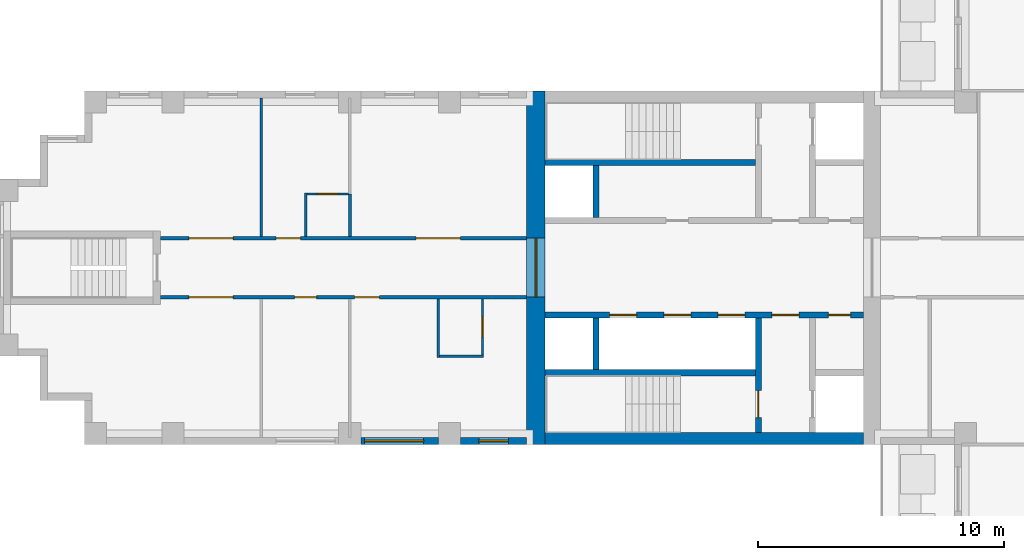
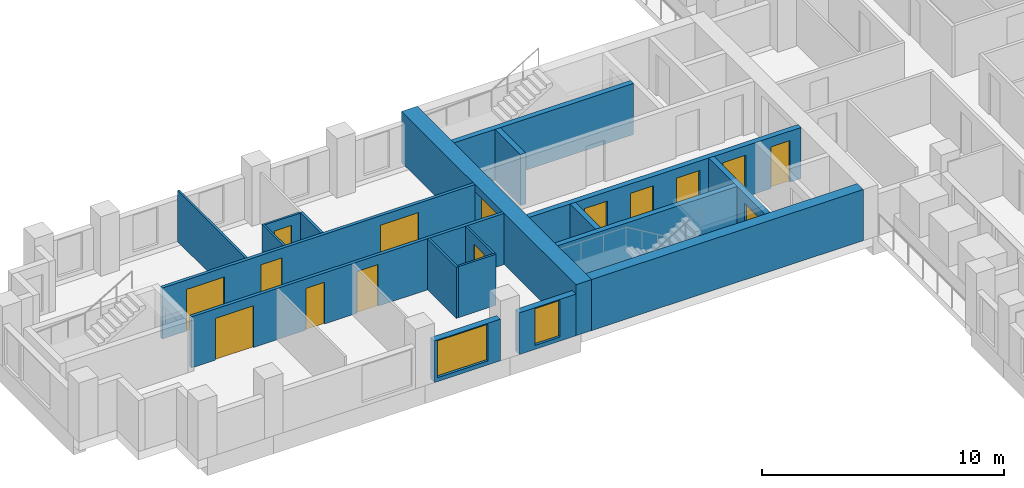
# One storey, part 6 of 14: 19 walls, 15 doors, 2 windows, 17 openings.
"""IFC4 building model written with IfcOpenShell, lengths in metres."""

from ifc_helpers import new_model, si_unit, direction, frame, frame_2d, origin, place, context, subcontext, project, spatial, rectangle, extrude, material, layer, layer_set, type_object, element, fill, save


model = new_model("IFC4")

# Units and contexts
model_context = context("Model", 3, precision=1e-05, world=origin(), true_north=direction((0.0, 1.0)))
body_context = subcontext(model_context, "Body", "Model", "MODEL_VIEW")
ifc_project = project(units=[si_unit("LENGTHUNIT", "METRE"), si_unit("AREAUNIT", "SQUARE_METRE"), si_unit("VOLUMEUNIT", "CUBIC_METRE"), si_unit("PLANEANGLEUNIT", "RADIAN"), si_unit("MASSUNIT", "GRAM", prefix="KILO")], contexts=[model_context])

# Site, building, storey
site_placement = place(None, origin())
site = spatial("IfcSite", under=ifc_project, at=site_placement, CompositionType="ELEMENT")
building_placement = place(site_placement, origin())
building = spatial("IfcBuilding", under=site, at=building_placement, Name="Fustian Cross Tower", CompositionType="ELEMENT")
storey_placement = place(building_placement, frame((0.0, 0.0, 93.89990234375)))
storey = spatial("IfcBuildingStorey", under=building, at=storey_placement, Name="L29", CompositionType="ELEMENT", Elevation=93.89990234375)

# Wall, openings, doors
ifc_material_1 = material(Name="Plasterboard on steel stud", Category="steel")
ifc_layer_1 = layer(ifc_material_1, 0.14990234375)
ifc_layer_set_1 = layer_set([ifc_layer_1], Name="Plasterboard on steel stud")
wall_type_1 = type_object("IfcWallType", Name="COMPARTMENT WALL 150 EI 60", PredefinedType="PARTITIONING", material=ifc_layer_set_1)
wall_1_placement = place(storey_placement, frame((-36.5, -1.199951171875, 0.0), z_axis=(0.0, 0.0, 1.0), x_axis=(1.0, 0.0, 0.0)))
wall_1 = element("IfcWall", 1, at=wall_1_placement, inside=storey, type_object=wall_type_1, Name="Partition 1", PredefinedType="PARTITIONING", context=body_context, shape_type="SweptSolid", body=[
    extrude(rectangle(XDim=14.89990234375, YDim=0.14990234375, at=frame_2d((7.449951171875, 0.0))), origin(), (0.0, 0.0, 1.0), 2.5751953125),
])
opening_1_placement = place(wall_1_placement, frame((7.89990234375, 0.0, 0.0)))
opening_1 = element("IfcOpeningElement", 2, at=opening_1_placement, cuts=wall_1, Name="Opening D14028", PredefinedType="OPENING", context=body_context, shape_type="SweptSolid", body=[
    extrude(rectangle(XDim=1.0, YDim=2.10009765625, at=frame_2d((0.5, 1.050048828125))), frame((0.0, 0.0849609375, 0.0), z_axis=(0.0, -1.0, 0.0), x_axis=(1.0, 0.0, 0.0)), (0.0, 0.0, 1.0), 0.169921875),
])
opening_2_placement = place(wall_1_placement, frame((5.449951171875, 0.0, 0.0)))
opening_2 = element("IfcOpeningElement", 3, at=opening_2_placement, cuts=wall_1, Name="Opening D14029", PredefinedType="OPENING", context=body_context, shape_type="SweptSolid", body=[
    extrude(rectangle(XDim=0.89990234375, YDim=2.10009765625, at=frame_2d((0.449951171875, 1.050048828125))), frame((0.0, 0.0849609375, 0.0), z_axis=(0.0, -1.0, 0.0), x_axis=(1.0, 0.0, 0.0)), (0.0, 0.0, 1.0), 0.169921875),
])
opening_3_placement = place(wall_1_placement, frame((1.14990234375, 0.0, 0.0)))
opening_3 = element("IfcOpeningElement", 4, at=opening_3_placement, cuts=wall_1, Name="Opening D14030", PredefinedType="OPENING", context=body_context, shape_type="SweptSolid", body=[
    extrude(rectangle(XDim=1.800048828125, YDim=2.10009765625, at=frame_2d((0.89990234375, 1.050048828125))), frame((0.0, 0.0849609375, 0.0), z_axis=(0.0, -1.0, 0.0), x_axis=(1.0, 0.0, 0.0)), (0.0, 0.0, 1.0), 0.169921875),
])
ifc_material_2 = material(Name="Timber fire door set", Category="wood")
door_type_1 = type_object("IfcDoorType", Name="FIRE DOUBLE DOOR 1800 FD30S", OperationType="DOUBLE_DOOR_DOUBLE_SWING", PredefinedType="DOOR", material=ifc_material_2)
door_1_placement = place(opening_3_placement, origin())
door_1 = element("IfcDoor", 5, at=door_1_placement, inside=storey, type_object=door_type_1, Name="Door D14030", OperationType="DOUBLE_DOOR_DOUBLE_SWING", OverallHeight=2.10009765625, OverallWidth=1.800048828125, PredefinedType="DOOR", context=body_context, shape_type="SweptSolid", body=[
    extrude(rectangle(XDim=1.800048828125, YDim=2.10009765625, at=frame_2d((0.89990234375, 1.050048828125))), frame((0.0, 0.02490234375, 0.0), z_axis=(0.0, -1.0, 0.0), x_axis=(1.0, 0.0, 0.0)), (0.0, 0.0, 1.0), 0.050048828125),
])
fill(opening_3, door_1)
ifc_material_3 = material(Name="Timber fire door set", Category="wood")
door_type_2 = type_object("IfcDoorType", Name="FIRE SWING DOOR 1000 FD30S", OperationType="SINGLE_SWING_LEFT", PredefinedType="DOOR", material=ifc_material_3)
door_2_placement = place(opening_1_placement, frame((1.0, 0.0, 0.0), z_axis=(0.0, 0.0, 1.0), x_axis=(-1.0, 0.0, 0.0)))
door_2 = element("IfcDoor", 6, at=door_2_placement, inside=storey, type_object=door_type_2, Name="Door D14028", OperationType="SINGLE_SWING_RIGHT", OverallHeight=2.10009765625, OverallWidth=1.0, PredefinedType="DOOR", context=body_context, shape_type="SweptSolid", body=[
    extrude(rectangle(XDim=1.0, YDim=2.10009765625, at=frame_2d((0.5, 1.050048828125))), frame((0.0, 0.02490234375, 0.0), z_axis=(0.0, -1.0, 0.0), x_axis=(1.0, 0.0, 0.0)), (0.0, 0.0, 1.0), 0.050048828125),
])
fill(opening_1, door_2)
ifc_material_4 = material(Name="Timber fire door set", Category="wood")
door_type_3 = type_object("IfcDoorType", Name="FIRE SWING DOOR 900 FD30S", OperationType="SINGLE_SWING_LEFT", PredefinedType="DOOR", material=ifc_material_4)
door_3_placement = place(opening_2_placement, frame((0.89990234375, 0.0, 0.0), z_axis=(0.0, 0.0, 1.0), x_axis=(-1.0, 0.0, 0.0)))
door_3 = element("IfcDoor", 7, at=door_3_placement, inside=storey, type_object=door_type_3, Name="Door D14029", OperationType="SINGLE_SWING_RIGHT", OverallHeight=2.10009765625, OverallWidth=0.89990234375, PredefinedType="DOOR", context=body_context, shape_type="SweptSolid", body=[
    extrude(rectangle(XDim=0.89990234375, YDim=2.10009765625, at=frame_2d((0.449951171875, 1.050048828125))), frame((0.0, 0.02490234375, 0.0), z_axis=(0.0, -1.0, 0.0), x_axis=(1.0, 0.0, 0.0)), (0.0, 0.0, 1.0), 0.050048828125),
])
fill(opening_2, door_3)

wall_2_placement = place(storey_placement, frame((-36.5, 1.199951171875, 0.0), z_axis=(0.0, 0.0, 1.0), x_axis=(1.0, 0.0, 0.0)))
wall_2 = element("IfcWall", 8, at=wall_2_placement, inside=storey, type_object=wall_type_1, Name="Partition 2", PredefinedType="PARTITIONING", context=body_context, shape_type="SweptSolid", body=[
    extrude(rectangle(XDim=14.89990234375, YDim=0.14990234375, at=frame_2d((7.449951171875, 0.0))), origin(), (0.0, 0.0, 1.0), 2.5751953125),
])
opening_4_placement = place(wall_2_placement, frame((10.39990234375, 0.0, 0.0)))
opening_4 = element("IfcOpeningElement", 9, at=opening_4_placement, cuts=wall_2, Name="Opening D14031", PredefinedType="OPENING", context=body_context, shape_type="SweptSolid", body=[
    extrude(rectangle(XDim=1.800048828125, YDim=2.10009765625, at=frame_2d((0.89990234375, 1.050048828125))), frame((0.0, 0.0849609375, 0.0), z_axis=(0.0, -1.0, 0.0), x_axis=(1.0, 0.0, 0.0)), (0.0, 0.0, 1.0), 0.169921875),
])
opening_5_placement = place(wall_2_placement, frame((4.699951171875, 0.0, 0.0)))
opening_5 = element("IfcOpeningElement", 10, at=opening_5_placement, cuts=wall_2, Name="Opening D14033", PredefinedType="OPENING", context=body_context, shape_type="SweptSolid", body=[
    extrude(rectangle(XDim=1.0, YDim=2.10009765625, at=frame_2d((0.5, 1.050048828125))), frame((0.0, 0.0849609375, 0.0), z_axis=(0.0, -1.0, 0.0), x_axis=(1.0, 0.0, 0.0)), (0.0, 0.0, 1.0), 0.169921875),
])
opening_6_placement = place(wall_2_placement, frame((1.14990234375, 0.0, 0.0)))
opening_6 = element("IfcOpeningElement", 11, at=opening_6_placement, cuts=wall_2, Name="Opening D14034", PredefinedType="OPENING", context=body_context, shape_type="SweptSolid", body=[
    extrude(rectangle(XDim=1.800048828125, YDim=2.10009765625, at=frame_2d((0.89990234375, 1.050048828125))), frame((0.0, 0.0849609375, 0.0), z_axis=(0.0, -1.0, 0.0), x_axis=(1.0, 0.0, 0.0)), (0.0, 0.0, 1.0), 0.169921875),
])
door_4_placement = place(opening_4_placement, frame((1.800048828125, 0.0, 0.0), z_axis=(0.0, 0.0, 1.0), x_axis=(-1.0, 0.0, 0.0)))
door_4 = element("IfcDoor", 12, at=door_4_placement, inside=storey, type_object=door_type_1, Name="Door D14031", OperationType="DOUBLE_DOOR_DOUBLE_SWING", OverallHeight=2.10009765625, OverallWidth=1.800048828125, PredefinedType="DOOR", context=body_context, shape_type="SweptSolid", body=[
    extrude(rectangle(XDim=1.800048828125, YDim=2.10009765625, at=frame_2d((0.89990234375, 1.050048828125))), frame((0.0, 0.02490234375, 0.0), z_axis=(0.0, -1.0, 0.0), x_axis=(1.0, 0.0, 0.0)), (0.0, 0.0, 1.0), 0.050048828125),
])
fill(opening_4, door_4)
door_5_placement = place(opening_6_placement, frame((1.800048828125, 0.0, 0.0), z_axis=(0.0, 0.0, 1.0), x_axis=(-1.0, 0.0, 0.0)))
door_5 = element("IfcDoor", 13, at=door_5_placement, inside=storey, type_object=door_type_1, Name="Door D14034", OperationType="DOUBLE_DOOR_DOUBLE_SWING", OverallHeight=2.10009765625, OverallWidth=1.800048828125, PredefinedType="DOOR", context=body_context, shape_type="SweptSolid", body=[
    extrude(rectangle(XDim=1.800048828125, YDim=2.10009765625, at=frame_2d((0.89990234375, 1.050048828125))), frame((0.0, 0.02490234375, 0.0), z_axis=(0.0, -1.0, 0.0), x_axis=(1.0, 0.0, 0.0)), (0.0, 0.0, 1.0), 0.050048828125),
])
fill(opening_6, door_5)
door_6_placement = place(opening_5_placement, origin())
door_6 = element("IfcDoor", 14, at=door_6_placement, inside=storey, type_object=door_type_2, Name="Door D14033", OperationType="SINGLE_SWING_RIGHT", OverallHeight=2.10009765625, OverallWidth=1.0, PredefinedType="DOOR", context=body_context, shape_type="SweptSolid", body=[
    extrude(rectangle(XDim=1.0, YDim=2.10009765625, at=frame_2d((0.5, 1.050048828125))), frame((0.0, 0.02490234375, 0.0), z_axis=(0.0, -1.0, 0.0), x_axis=(1.0, 0.0, 0.0)), (0.0, 0.0, 1.0), 0.050048828125),
])
fill(opening_5, door_6)

# Wall, opening, door
ifc_material_5 = material(Name="Concrete C70/85", Category="concrete")
ifc_layer_2 = layer(ifc_material_5, 0.75)
ifc_layer_set_2 = layer_set([ifc_layer_2], Name="Concrete C70/85")
wall_type_2 = type_object("IfcWallType", Name="CORE END WALL 750 C70/85", PredefinedType="SHEAR", material=ifc_layer_set_2)
wall_3_placement = place(storey_placement, frame((-21.22509765625, -7.199951171875, 0.0), z_axis=(0.0, 0.0, 1.0), x_axis=(0.0, 1.0, 0.0)))
wall_3 = element("IfcWall", 15, at=wall_3_placement, inside=storey, type_object=wall_type_2, Name="Core end wall", PredefinedType="SHEAR", context=body_context, shape_type="SweptSolid", body=[
    extrude(rectangle(XDim=14.39990234375, YDim=0.75, at=frame_2d((7.199951171875, 0.0))), origin(), (0.0, 0.0, 1.0), 2.5751953125),
])
opening_7_placement = place(wall_3_placement, frame((6.0, 0.0, 0.0)))
opening_7 = element("IfcOpeningElement", 16, at=opening_7_placement, cuts=wall_3, Name="Opening CD-09-27", PredefinedType="OPENING", context=body_context, shape_type="SweptSolid", body=[
    extrude(rectangle(XDim=2.39990234375, YDim=2.199951171875, at=frame_2d((1.199951171875, 1.10009765625))), frame((0.0, 0.385009765625, 0.0), z_axis=(0.0, -1.0, 0.0), x_axis=(1.0, 0.0, 0.0)), (0.0, 0.0, 1.0), 0.77001953125),
])
ifc_material_6 = material(Name="Steel", Category="steel")
door_type_4 = type_object("IfcDoorType", Name="FIRE DOOR FD30S DOUBLE 2400X2200", OperationType="DOUBLE_DOOR_DOUBLE_SWING", PredefinedType="DOOR", material=ifc_material_6)
door_7_placement = place(opening_7_placement, frame((2.39990234375, 0.0, 0.0), z_axis=(0.0, 0.0, 1.0), x_axis=(-1.0, 0.0, 0.0)))
door_7 = element("IfcDoor", 17, at=door_7_placement, inside=storey, type_object=door_type_4, Name="Core door CD-09-27", OperationType="DOUBLE_DOOR_DOUBLE_SWING", OverallHeight=2.199951171875, OverallWidth=2.39990234375, PredefinedType="DOOR", context=body_context, shape_type="SweptSolid", body=[
    extrude(rectangle(XDim=2.39990234375, YDim=2.199951171875, at=frame_2d((1.199951171875, 1.10009765625))), frame((0.0, 0.02490234375, 0.0), z_axis=(0.0, -1.0, 0.0), x_axis=(1.0, 0.0, 0.0)), (0.0, 0.0, 1.0), 0.050048828125),
])
fill(opening_7, door_7)

# Wall
ifc_material_7 = material(Name="Concrete C70/85", Category="concrete")
ifc_layer_3 = layer(ifc_material_7, 0.5)
ifc_layer_set_3 = layer_set([ifc_layer_3], Name="Concrete C70/85")
wall_type_3 = type_object("IfcWallType", Name="CORE FACADE WALL 500 C70/85", PredefinedType="SHEAR", material=ifc_layer_set_3)
wall_4_placement = place(storey_placement, frame((-7.89990234375, -6.949951171875, 0.0), z_axis=(0.0, 0.0, 1.0), x_axis=(-1.0, 0.0, 0.0)))
element("IfcWall", 18, at=wall_4_placement, inside=storey, type_object=wall_type_3, Name="Core facade wall", PredefinedType="SHEAR", context=body_context, shape_type="SweptSolid", body=[
    extrude(rectangle(XDim=12.9501953125, YDim=0.5, at=frame_2d((6.47509765625, 0.0))), origin(), (0.0, 0.0, 1.0), 2.5751953125),
])

# Wall, openings, doors
ifc_material_8 = material(Name="Concrete C50/60", Category="concrete")
ifc_layer_4 = layer(ifc_material_8, 0.25)
ifc_layer_set_4 = layer_set([ifc_layer_4], Name="Concrete C50/60")
wall_type_4 = type_object("IfcWallType", Name="CORE LOBBY WALL 250 C50/60", PredefinedType="SHEAR", material=ifc_layer_set_4)
wall_5_placement = place(storey_placement, frame((-7.89990234375, -1.925048828125, 0.0), z_axis=(0.0, 0.0, 1.0), x_axis=(-1.0, 0.0, 0.0)))
wall_5 = element("IfcWall", 19, at=wall_5_placement, inside=storey, type_object=wall_type_4, Name="Core lobby wall", PredefinedType="SHEAR", context=body_context, shape_type="SweptSolid", body=[
    extrude(rectangle(XDim=12.9501953125, YDim=0.25, at=frame_2d((6.47509765625, 0.0))), origin(), (0.0, 0.0, 1.0), 2.5751953125),
])
opening_8_placement = place(wall_5_placement, frame((4.824951171875, 0.0, 0.0)))
opening_8 = element("IfcOpeningElement", 20, at=opening_8_placement, cuts=wall_5, Name="Opening LD", PredefinedType="OPENING", context=body_context, shape_type="SweptSolid", body=[
    extrude(rectangle(XDim=1.10009765625, YDim=2.10009765625, at=frame_2d((0.550048828125, 1.050048828125))), frame((0.0, 0.135009765625, 0.0), z_axis=(0.0, -1.0, 0.0), x_axis=(1.0, 0.0, 0.0)), (0.0, 0.0, 1.0), 0.27001953125),
])
opening_9_placement = place(wall_5_placement, frame((7.02490234375, 0.0, 0.0)))
opening_9 = element("IfcOpeningElement", 21, at=opening_9_placement, cuts=wall_5, Name="Opening LD", PredefinedType="OPENING", context=body_context, shape_type="SweptSolid", body=[
    extrude(rectangle(XDim=1.10009765625, YDim=2.10009765625, at=frame_2d((0.550048828125, 1.050048828125))), frame((0.0, 0.135009765625, 0.0), z_axis=(0.0, -1.0, 0.0), x_axis=(1.0, 0.0, 0.0)), (0.0, 0.0, 1.0), 0.27001953125),
])
opening_10_placement = place(wall_5_placement, frame((9.22509765625, 0.0, 0.0)))
opening_10 = element("IfcOpeningElement", 22, at=opening_10_placement, cuts=wall_5, Name="Opening LD", PredefinedType="OPENING", context=body_context, shape_type="SweptSolid", body=[
    extrude(rectangle(XDim=1.10009765625, YDim=2.10009765625, at=frame_2d((0.550048828125, 1.050048828125))), frame((0.0, 0.135009765625, 0.0), z_axis=(0.0, -1.0, 0.0), x_axis=(1.0, 0.0, 0.0)), (0.0, 0.0, 1.0), 0.27001953125),
])
opening_11_placement = place(wall_5_placement, frame((0.52490234375, 0.0, 0.0)))
opening_11 = element("IfcOpeningElement", 23, at=opening_11_placement, cuts=wall_5, Name="Opening CD-09-23", PredefinedType="OPENING", context=body_context, shape_type="SweptSolid", body=[
    extrude(rectangle(XDim=0.89990234375, YDim=2.10009765625, at=frame_2d((0.449951171875, 1.050048828125))), frame((0.0, 0.135009765625, 0.0), z_axis=(0.0, -1.0, 0.0), x_axis=(1.0, 0.0, 0.0)), (0.0, 0.0, 1.0), 0.27001953125),
])
opening_12_placement = place(wall_5_placement, frame((2.625, 0.0, 0.0)))
opening_12 = element("IfcOpeningElement", 24, at=opening_12_placement, cuts=wall_5, Name="Opening CD-09-25", PredefinedType="OPENING", context=body_context, shape_type="SweptSolid", body=[
    extrude(rectangle(XDim=1.10009765625, YDim=2.10009765625, at=frame_2d((0.550048828125, 1.050048828125))), frame((0.0, 0.135009765625, 0.0), z_axis=(0.0, -1.0, 0.0), x_axis=(1.0, 0.0, 0.0)), (0.0, 0.0, 1.0), 0.27001953125),
])
ifc_material_9 = material(Name="Steel", Category="steel")
door_type_5 = type_object("IfcDoorType", Name="FIRE DOOR FD30S 1100X2100", OperationType="SINGLE_SWING_LEFT", PredefinedType="DOOR", material=ifc_material_9)
door_8_placement = place(opening_12_placement, frame((1.10009765625, 0.0, 0.0), z_axis=(0.0, 0.0, 1.0), x_axis=(-1.0, 0.0, 0.0)))
door_8 = element("IfcDoor", 25, at=door_8_placement, inside=storey, type_object=door_type_5, Name="Core door CD-09-25", OperationType="SINGLE_SWING_RIGHT", OverallHeight=2.10009765625, OverallWidth=1.10009765625, PredefinedType="DOOR", context=body_context, shape_type="SweptSolid", body=[
    extrude(rectangle(XDim=1.10009765625, YDim=2.10009765625, at=frame_2d((0.550048828125, 1.050048828125))), frame((0.0, 0.02490234375, 0.0), z_axis=(0.0, -1.0, 0.0), x_axis=(1.0, 0.0, 0.0)), (0.0, 0.0, 1.0), 0.050048828125),
])
fill(opening_12, door_8)
ifc_material_10 = material(Name="Steel", Category="steel")
door_type_6 = type_object("IfcDoorType", Name="FIRE DOOR FD30S 900X2100", OperationType="SINGLE_SWING_LEFT", PredefinedType="DOOR", material=ifc_material_10)
door_9_placement = place(opening_11_placement, origin())
door_9 = element("IfcDoor", 26, at=door_9_placement, inside=storey, type_object=door_type_6, Name="Core door CD-09-23", OperationType="SINGLE_SWING_LEFT", OverallHeight=2.10009765625, OverallWidth=0.89990234375, PredefinedType="DOOR", context=body_context, shape_type="SweptSolid", body=[
    extrude(rectangle(XDim=0.89990234375, YDim=2.10009765625, at=frame_2d((0.449951171875, 1.050048828125))), frame((0.0, 0.02490234375, 0.0), z_axis=(0.0, -1.0, 0.0), x_axis=(1.0, 0.0, 0.0)), (0.0, 0.0, 1.0), 0.050048828125),
])
fill(opening_11, door_9)
ifc_material_11 = material(Name="Stainless steel", Category="steel")
door_type_7 = type_object("IfcDoorType", Name="LIFT LANDING DOOR 1100X2100", OperationType="SLIDING_TO_LEFT", PredefinedType="DOOR", material=ifc_material_11)
door_10_placement = place(opening_8_placement, origin())
door_10 = element("IfcDoor", 27, at=door_10_placement, inside=storey, type_object=door_type_7, Name="Landing door LR1W", OperationType="SLIDING_TO_LEFT", OverallHeight=2.10009765625, OverallWidth=1.10009765625, PredefinedType="DOOR", context=body_context, shape_type="SweptSolid", body=[
    extrude(rectangle(XDim=1.10009765625, YDim=2.10009765625, at=frame_2d((0.550048828125, 1.050048828125))), frame((0.0, 0.02490234375, 0.0), z_axis=(0.0, -1.0, 0.0), x_axis=(1.0, 0.0, 0.0)), (0.0, 0.0, 1.0), 0.050048828125),
])
fill(opening_8, door_10)
door_11_placement = place(opening_9_placement, origin())
door_11 = element("IfcDoor", 28, at=door_11_placement, inside=storey, type_object=door_type_7, Name="Landing door LR2W", OperationType="SLIDING_TO_LEFT", OverallHeight=2.10009765625, OverallWidth=1.10009765625, PredefinedType="DOOR", context=body_context, shape_type="SweptSolid", body=[
    extrude(rectangle(XDim=1.10009765625, YDim=2.10009765625, at=frame_2d((0.550048828125, 1.050048828125))), frame((0.0, 0.02490234375, 0.0), z_axis=(0.0, -1.0, 0.0), x_axis=(1.0, 0.0, 0.0)), (0.0, 0.0, 1.0), 0.050048828125),
])
fill(opening_9, door_11)
door_12_placement = place(opening_10_placement, origin())
door_12 = element("IfcDoor", 29, at=door_12_placement, inside=storey, type_object=door_type_7, Name="Landing door LR3W", OperationType="SLIDING_TO_LEFT", OverallHeight=2.10009765625, OverallWidth=1.10009765625, PredefinedType="DOOR", context=body_context, shape_type="SweptSolid", body=[
    extrude(rectangle(XDim=1.10009765625, YDim=2.10009765625, at=frame_2d((0.550048828125, 1.050048828125))), frame((0.0, 0.02490234375, 0.0), z_axis=(0.0, -1.0, 0.0), x_axis=(1.0, 0.0, 0.0)), (0.0, 0.0, 1.0), 0.050048828125),
])
fill(opening_10, door_12)

# Walls
ifc_material_12 = material(Name="Concrete C50/60", Category="concrete")
ifc_layer_5 = layer(ifc_material_12, 0.25)
ifc_layer_set_5 = layer_set([ifc_layer_5], Name="Concrete C50/60")
wall_type_5 = type_object("IfcWallType", Name="CORE SHAFT WALL 250 C50/60", PredefinedType="SHEAR", material=ifc_layer_set_5)
for number, where, z_axis, x_axis, name in (
    (30, (-12.300048828125, 4.27490234375, 0.0), (0.0, 0.0, 1.0), (-1.0, 0.0, 0.0), "Core shaft wall"),
    (31, (-12.300048828125, -4.27490234375, 0.0), (0.0, 0.0, 1.0), (-1.0, 0.0, 0.0), "Core shaft wall"),
):
    element("IfcWall", number, at=place(storey_placement, frame(where, z_axis=z_axis, x_axis=x_axis)), inside=storey, type_object=wall_type_5, Name=name, PredefinedType="SHEAR", context=body_context, shape_type="SweptSolid", body=[
        extrude(rectangle(XDim=8.550048828125, YDim=0.25, at=frame_2d((4.27490234375, 0.0))), origin(), (0.0, 0.0, 1.0), 2.5751953125),
    ])

# Wall, opening, door
wall_6_placement = place(storey_placement, frame((-12.175048828125, -2.050048828125, 0.0), z_axis=(0.0, 0.0, 1.0), x_axis=(0.0, -1.0, 0.0)))
wall_6 = element("IfcWall", 32, at=wall_6_placement, inside=storey, type_object=wall_type_5, Name="Core shaft wall", PredefinedType="SHEAR", context=body_context, shape_type="SweptSolid", body=[
    extrude(rectangle(XDim=4.64990234375, YDim=0.25, at=frame_2d((2.324951171875, 0.0))), origin(), (0.0, 0.0, 1.0), 2.5751953125),
])
opening_13_placement = place(wall_6_placement, frame((2.949951171875, 0.0, 0.0)))
opening_13 = element("IfcOpeningElement", 33, at=opening_13_placement, cuts=wall_6, Name="Opening CD-09-21", PredefinedType="OPENING", context=body_context, shape_type="SweptSolid", body=[
    extrude(rectangle(XDim=1.10009765625, YDim=2.10009765625, at=frame_2d((0.550048828125, 1.050048828125))), frame((0.0, 0.135009765625, 0.0), z_axis=(0.0, -1.0, 0.0), x_axis=(1.0, 0.0, 0.0)), (0.0, 0.0, 1.0), 0.27001953125),
])
ifc_material_13 = material(Name="Steel", Category="steel")
door_type_8 = type_object("IfcDoorType", Name="FIRE DOOR FD60S 1100X2100", OperationType="SINGLE_SWING_LEFT", PredefinedType="DOOR", material=ifc_material_13)
door_13_placement = place(opening_13_placement, frame((1.10009765625, 0.0, 0.0), z_axis=(0.0, 0.0, 1.0), x_axis=(-1.0, 0.0, 0.0)))
door_13 = element("IfcDoor", 34, at=door_13_placement, inside=storey, type_object=door_type_8, Name="Core door CD-09-21", OperationType="SINGLE_SWING_RIGHT", OverallHeight=2.10009765625, OverallWidth=1.10009765625, PredefinedType="DOOR", context=body_context, shape_type="SweptSolid", body=[
    extrude(rectangle(XDim=1.10009765625, YDim=2.10009765625, at=frame_2d((0.550048828125, 1.050048828125))), frame((0.0, 0.02490234375, 0.0), z_axis=(0.0, -1.0, 0.0), x_axis=(1.0, 0.0, 0.0)), (0.0, 0.0, 1.0), 0.050048828125),
])
fill(opening_13, door_13)

# Walls
ifc_material_14 = material(Name="Plasterboard on steel stud", Category="steel")
ifc_layer_6 = layer(ifc_material_14, 0.10009765625)
ifc_layer_set_6 = layer_set([ifc_layer_6], Name="Plasterboard on steel stud")
wall_type_6 = type_object("IfcWallType", Name="PARTITION 100 STUD", PredefinedType="PARTITIONING", material=ifc_layer_set_6)
wall_7_placement = place(storey_placement, frame((-32.39990234375, 1.27490234375, 0.0), z_axis=(0.0, 0.0, 1.0), x_axis=(0.0, 1.0, 0.0)))
element("IfcWall", 35, at=wall_7_placement, inside=storey, type_object=wall_type_6, Name="Partition 4", PredefinedType="PARTITIONING", context=body_context, shape_type="SweptSolid", body=[
    extrude(rectangle(XDim=5.625, YDim=0.10009765625, at=frame_2d((2.8125, 0.0))), origin(), (0.0, 0.0, 1.0), 2.5751953125),
])
wall_8_placement = place(storey_placement, frame((-30.60009765625, 1.27490234375, 0.0), z_axis=(0.0, 0.0, 1.0), x_axis=(0.0, 1.0, 0.0)))
element("IfcWall", 36, at=wall_8_placement, inside=storey, type_object=wall_type_6, Name="Partition 5", PredefinedType="PARTITIONING", context=body_context, shape_type="SweptSolid", body=[
    extrude(rectangle(XDim=1.775146484375, YDim=0.10009765625, at=frame_2d((0.8876953125, 0.0))), origin(), (0.0, 0.0, 1.0), 2.5751953125),
])

# Wall, opening, door
wall_9_placement = place(storey_placement, frame((-30.550048828125, 3.0, 0.0), z_axis=(0.0, 0.0, 1.0), x_axis=(1.0, 0.0, 0.0)))
wall_9 = element("IfcWall", 37, at=wall_9_placement, inside=storey, type_object=wall_type_6, Name="Partition 6", PredefinedType="PARTITIONING", context=body_context, shape_type="SweptSolid", body=[
    extrude(rectangle(XDim=1.6875, YDim=0.10009765625, at=frame_2d((0.84375, 0.0))), origin(), (0.0, 0.0, 1.0), 2.5751953125),
])
opening_14_placement = place(wall_9_placement, frame((0.449951171875, 0.0, 0.0)))
opening_14 = element("IfcOpeningElement", 38, at=opening_14_placement, cuts=wall_9, Name="Opening D14032", PredefinedType="OPENING", context=body_context, shape_type="SweptSolid", body=[
    extrude(rectangle(XDim=0.800048828125, YDim=2.10009765625, at=frame_2d((0.39990234375, 1.050048828125))), frame((0.0, 0.06005859375, 0.0), z_axis=(0.0, -1.0, 0.0), x_axis=(1.0, 0.0, 0.0)), (0.0, 0.0, 1.0), 0.1201171875),
])
ifc_material_15 = material(Name="Painted timber", Category="wood")
door_type_9 = type_object("IfcDoorType", Name="SWING DOOR 800", OperationType="SINGLE_SWING_LEFT", PredefinedType="DOOR", material=ifc_material_15)
door_14_placement = place(opening_14_placement, frame((0.800048828125, 0.0, 0.0), z_axis=(0.0, 0.0, 1.0), x_axis=(-1.0, 0.0, 0.0)))
door_14 = element("IfcDoor", 39, at=door_14_placement, inside=storey, type_object=door_type_9, Name="Door D14032", OperationType="SINGLE_SWING_LEFT", OverallHeight=2.10009765625, OverallWidth=0.800048828125, PredefinedType="DOOR", context=body_context, shape_type="SweptSolid", body=[
    extrude(rectangle(XDim=0.800048828125, YDim=2.10009765625, at=frame_2d((0.39990234375, 1.050048828125))), frame((0.0, 0.02490234375, 0.0), z_axis=(0.0, -1.0, 0.0), x_axis=(1.0, 0.0, 0.0)), (0.0, 0.0, 1.0), 0.050048828125),
])
fill(opening_14, door_14)

# Walls
wall_10_placement = place(storey_placement, frame((-25.199951171875, -3.64990234375, 0.0), z_axis=(0.0, 0.0, 1.0), x_axis=(0.0, 1.0, 0.0)))
element("IfcWall", 40, at=wall_10_placement, inside=storey, type_object=wall_type_6, Name="Partition 10", PredefinedType="PARTITIONING", context=body_context, shape_type="SweptSolid", body=[
    extrude(rectangle(XDim=2.375, YDim=0.10009765625, at=frame_2d((1.1875, 0.0))), origin(), (0.0, 0.0, 1.0), 2.5751953125),
])
wall_11_placement = place(storey_placement, frame((-25.14990234375, -3.60009765625, 0.0), z_axis=(0.0, 0.0, 1.0), x_axis=(1.0, 0.0, 0.0)))
element("IfcWall", 41, at=wall_11_placement, inside=storey, type_object=wall_type_6, Name="Partition 11", PredefinedType="PARTITIONING", context=body_context, shape_type="SweptSolid", body=[
    extrude(rectangle(XDim=1.7998046875, YDim=0.10009765625, at=frame_2d((0.89990234375, 0.0))), origin(), (0.0, 0.0, 1.0), 2.5751953125),
])

# Wall, opening, door
wall_12_placement = place(storey_placement, frame((-23.39990234375, -3.550048828125, 0.0), z_axis=(0.0, 0.0, 1.0), x_axis=(0.0, 1.0, 0.0)))
wall_12 = element("IfcWall", 42, at=wall_12_placement, inside=storey, type_object=wall_type_6, Name="Partition 12", PredefinedType="PARTITIONING", context=body_context, shape_type="SweptSolid", body=[
    extrude(rectangle(XDim=2.275146484375, YDim=0.10009765625, at=frame_2d((1.1376953125, 0.0))), origin(), (0.0, 0.0, 1.0), 2.5751953125),
])
opening_15_placement = place(wall_12_placement, frame((0.75, 0.0, 0.0)))
opening_15 = element("IfcOpeningElement", 43, at=opening_15_placement, cuts=wall_12, Name="Opening D14027", PredefinedType="OPENING", context=body_context, shape_type="SweptSolid", body=[
    extrude(rectangle(XDim=0.800048828125, YDim=2.10009765625, at=frame_2d((0.39990234375, 1.050048828125))), frame((0.0, 0.06005859375, 0.0), z_axis=(0.0, -1.0, 0.0), x_axis=(1.0, 0.0, 0.0)), (0.0, 0.0, 1.0), 0.1201171875),
])
door_15_placement = place(opening_15_placement, origin())
door_15 = element("IfcDoor", 44, at=door_15_placement, inside=storey, type_object=door_type_9, Name="Door D14027", OperationType="SINGLE_SWING_LEFT", OverallHeight=2.10009765625, OverallWidth=0.800048828125, PredefinedType="DOOR", context=body_context, shape_type="SweptSolid", body=[
    extrude(rectangle(XDim=0.800048828125, YDim=2.10009765625, at=frame_2d((0.39990234375, 1.050048828125))), frame((0.0, 0.02490234375, 0.0), z_axis=(0.0, -1.0, 0.0), x_axis=(1.0, 0.0, 0.0)), (0.0, 0.0, 1.0), 0.050048828125),
])
fill(opening_15, door_15)

# Walls
ifc_material_16 = material(Name="Concrete C40/50", Category="concrete")
ifc_layer_7 = layer(ifc_material_16, 0.25)
ifc_layer_set_7 = layer_set([ifc_layer_7], Name="Concrete C40/50")
wall_type_7 = type_object("IfcWallType", Name="SHAFT PARTITION WALL 250 C40/50", PredefinedType="PARTITIONING", material=ifc_layer_set_7)
for number, where, z_axis, x_axis, name in (
    (45, (-18.77490234375, 2.050048828125, 0.0), (0.0, 0.0, 1.0), (0.0, 1.0, 0.0), "Core shaft wall"),
    (46, (-18.77490234375, -2.050048828125, 0.0), (0.0, 0.0, 1.0), (0.0, -1.0, 0.0), "Core shaft wall"),
):
    element("IfcWall", number, at=place(storey_placement, frame(where, z_axis=z_axis, x_axis=x_axis)), inside=storey, type_object=wall_type_7, Name=name, PredefinedType="PARTITIONING", context=body_context, shape_type="SweptSolid", body=[
        extrude(rectangle(XDim=2.099853515625, YDim=0.25, at=frame_2d((1.0498046875, 0.0))), origin(), (0.0, 0.0, 1.0), 2.5751953125),
    ])
ifc_material_17 = material(Name="Plasterboard on steel stud", Category="steel")
ifc_layer_8 = layer(ifc_material_17, 0.125)
ifc_layer_set_8 = layer_set([ifc_layer_8], Name="Plasterboard on steel stud")
wall_type_8 = type_object("IfcWallType", Name="WET WALL 125 STUD", PredefinedType="PARTITIONING", material=ifc_layer_set_8)
wall_13_placement = place(storey_placement, frame((-28.800048828125, 1.27490234375, 0.0), z_axis=(0.0, 0.0, 1.0), x_axis=(0.0, 1.0, 0.0)))
element("IfcWall", 47, at=wall_13_placement, inside=storey, type_object=wall_type_8, Name="Partition 8", PredefinedType="PARTITIONING", context=body_context, shape_type="SweptSolid", body=[
    extrude(rectangle(XDim=1.72509765625, YDim=0.125, at=frame_2d((0.862548828125, 0.0))), origin(), (0.0, 0.0, 1.0), 2.5751953125),
])

# Wall, opening, window
ifc_material_18 = material(Name="Dark aluminium cladding on insulated backing wall", Category="aluminium")
ifc_layer_9 = layer(ifc_material_18, 0.300048828125)
ifc_layer_set_9 = layer_set([ifc_layer_9], Name="Dark aluminium cladding on insulated backing wall")
wall_type_9 = type_object("IfcWallType", Name="XW1 EXTERNAL WALL 300", PredefinedType="SOLIDWALL", material=ifc_layer_set_9)
wall_14_placement = place(storey_placement, frame((-28.35009765625, -7.050048828125, 0.0), z_axis=(0.0, 0.0, 1.0), x_axis=(1.0, 0.0, 0.0)))
wall_14 = element("IfcWall", 48, at=wall_14_placement, inside=storey, type_object=wall_type_9, Name="External wall", PredefinedType="SOLIDWALL", context=body_context, shape_type="SweptSolid", body=[
    extrude(rectangle(XDim=3.150146484375, YDim=0.300048828125, at=frame_2d((1.5751953125, 0.0))), origin(), (0.0, 0.0, 1.0), 2.10009765625),
])
opening_16_placement = place(wall_14_placement, frame((0.14990234375, 0.0, 0.199951171875)))
opening_16 = element("IfcOpeningElement", 49, at=opening_16_placement, cuts=wall_14, Name="Opening WN1", PredefinedType="OPENING", context=body_context, shape_type="SweptSolid", body=[
    extrude(rectangle(XDim=2.39990234375, YDim=1.85009765625, at=frame_2d((1.199951171875, 0.925048828125))), frame((0.0, 0.159912109375, 0.0), z_axis=(0.0, -1.0, 0.0), x_axis=(1.0, 0.0, 0.0)), (0.0, 0.0, 1.0), 0.320068359375),
])
ifc_material_19 = material(Name="Dark anodised aluminium and double glazing", Category="aluminium")
window_type_1 = type_object("IfcWindowType", Name="WN1 WINDOW 2400X1850", PartitioningType="SINGLE_PANEL", PredefinedType="WINDOW", material=ifc_material_19)
window_1_placement = place(opening_16_placement, origin())
window_1 = element("IfcWindow", 50, at=window_1_placement, inside=storey, type_object=window_type_1, Name="Window", OverallHeight=1.85009765625, OverallWidth=2.39990234375, PartitioningType="SINGLE_PANEL", PredefinedType="WINDOW", context=body_context, shape_type="SweptSolid", body=[
    extrude(rectangle(XDim=2.39990234375, YDim=1.85009765625, at=frame_2d((1.199951171875, 0.925048828125))), frame((0.0, 0.030029296875, 0.0), z_axis=(0.0, -1.0, 0.0), x_axis=(1.0, 0.0, 0.0)), (0.0, 0.0, 1.0), 0.06005859375),
])
fill(opening_16, window_1)

wall_15_placement = place(storey_placement, frame((-24.300048828125, -7.050048828125, 0.0), z_axis=(0.0, 0.0, 1.0), x_axis=(1.0, 0.0, 0.0)))
wall_15 = element("IfcWall", 51, at=wall_15_placement, inside=storey, type_object=wall_type_9, Name="External wall", PredefinedType="SOLIDWALL", context=body_context, shape_type="SweptSolid", body=[
    extrude(rectangle(XDim=2.699951171875, YDim=0.300048828125, at=frame_2d((1.35009765625, 0.0))), origin(), (0.0, 0.0, 1.0), 2.10009765625),
])
opening_17_placement = place(wall_15_placement, frame((0.75, 0.0, 0.199951171875)))
opening_17 = element("IfcOpeningElement", 52, at=opening_17_placement, cuts=wall_15, Name="Opening WN3", PredefinedType="OPENING", context=body_context, shape_type="SweptSolid", body=[
    extrude(rectangle(XDim=1.199951171875, YDim=1.85009765625, at=frame_2d((0.60009765625, 0.925048828125))), frame((0.0, 0.159912109375, 0.0), z_axis=(0.0, -1.0, 0.0), x_axis=(1.0, 0.0, 0.0)), (0.0, 0.0, 1.0), 0.320068359375),
])
ifc_material_20 = material(Name="Dark anodised aluminium and double glazing", Category="aluminium")
window_type_2 = type_object("IfcWindowType", Name="WN3 WINDOW 1200X1850", PartitioningType="SINGLE_PANEL", PredefinedType="WINDOW", material=ifc_material_20)
window_2_placement = place(opening_17_placement, origin())
window_2 = element("IfcWindow", 53, at=window_2_placement, inside=storey, type_object=window_type_2, Name="Window", OverallHeight=1.85009765625, OverallWidth=1.199951171875, PartitioningType="SINGLE_PANEL", PredefinedType="WINDOW", context=body_context, shape_type="SweptSolid", body=[
    extrude(rectangle(XDim=1.199951171875, YDim=1.85009765625, at=frame_2d((0.60009765625, 0.925048828125))), frame((0.0, 0.030029296875, 0.0), z_axis=(0.0, -1.0, 0.0), x_axis=(1.0, 0.0, 0.0)), (0.0, 0.0, 1.0), 0.06005859375),
])
fill(opening_17, window_2)

save(model, "model.ifc")
